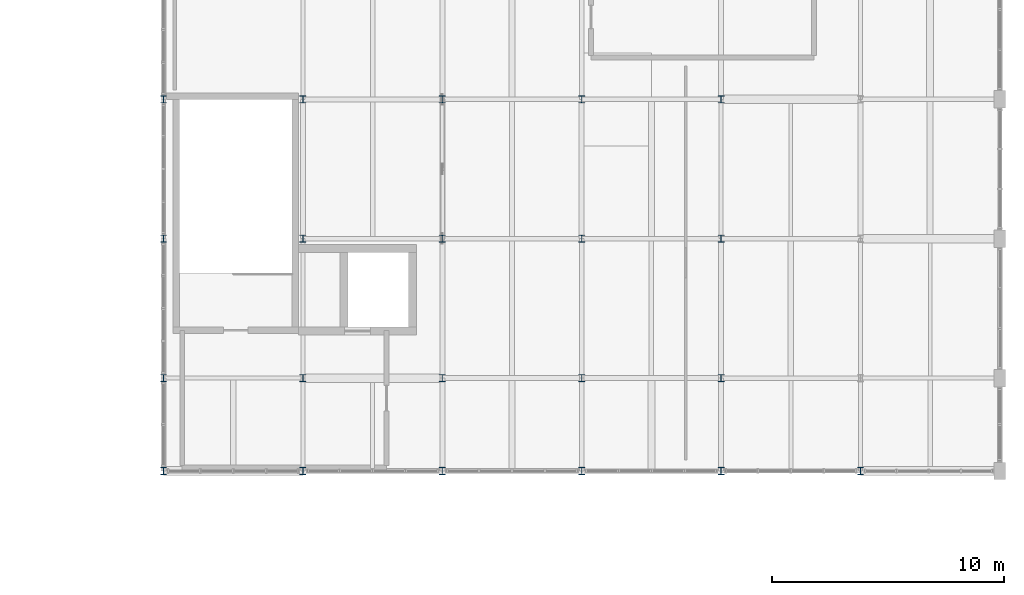
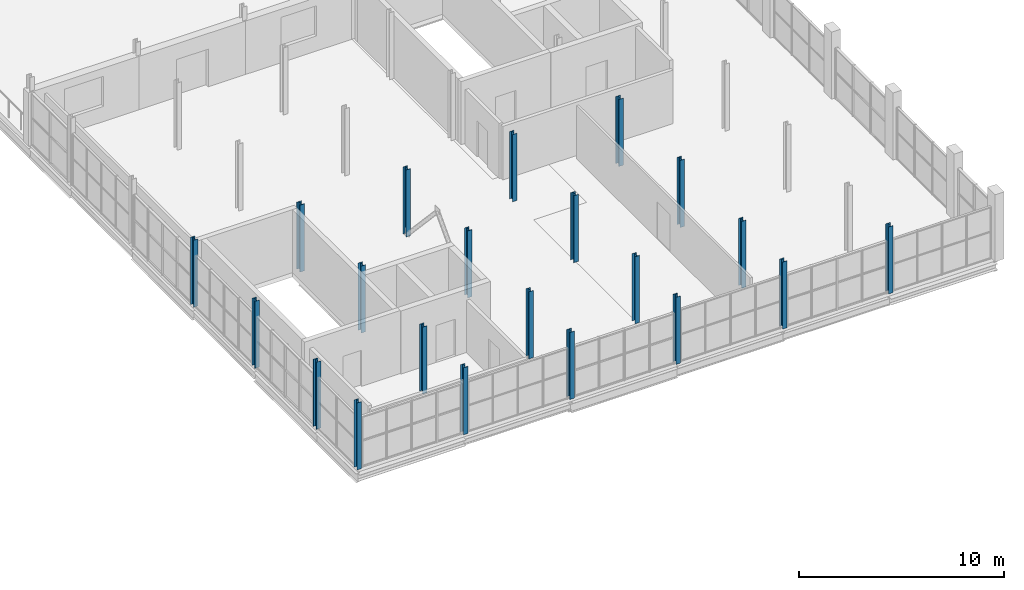
# One storey, part 13 of 96: 21 columns.
"""IFC4 building model written with IfcOpenShell, lengths in metres."""

from ifc_helpers import new_model, si_unit, direction, frame, origin, origin_2d, place, context, subcontext, project, spatial, i_section, extrude, material, material_profile, profile_set, type_object, element, save


model = new_model("IFC4")

# Units and contexts
model_context = context("Model", 3, precision=1e-05, world=origin(), true_north=direction((0.0, 1.0)))
body_context = subcontext(model_context, "Body", "Model", "MODEL_VIEW")
ifc_project = project(units=[si_unit("LENGTHUNIT", "METRE"), si_unit("AREAUNIT", "SQUARE_METRE"), si_unit("VOLUMEUNIT", "CUBIC_METRE"), si_unit("PLANEANGLEUNIT", "RADIAN"), si_unit("MASSUNIT", "GRAM", prefix="KILO")], contexts=[model_context])

# Site, building, storey
site_placement = place(None, origin())
site = spatial("IfcSite", under=ifc_project, at=site_placement, CompositionType="ELEMENT")
building_placement = place(site_placement, origin())
building = spatial("IfcBuilding", under=site, at=building_placement, Name="Verrall Gate Interchange", CompositionType="ELEMENT")
storey_placement = place(building_placement, frame((0.0, 0.0, 11.39990234375)))
storey = spatial("IfcBuildingStorey", under=building, at=storey_placement, Name="L03", CompositionType="ELEMENT", Elevation=11.39990234375)

# Columns
ifc_material = material(Name="Structural Steel CSA G40.21 350W", Category="steel")
ifc_material_profile = material_profile(ifc_material, i_section(OverallWidth=0.25390625, OverallDepth=0.305908203125, WebThickness=0.0087890625, FlangeThickness=0.0146484375, FilletRadius=0.012939453125, at=origin_2d()), Name="W310x79")
ifc_profile_set = profile_set([ifc_material_profile], Name="Structural Steel CSA G40.21 350W")
column_type = type_object("IfcColumnType", Name="C-10 Column W310x79", PredefinedType="COLUMN", material=ifc_profile_set)
for number, where, z_axis, x_axis, name in (
    (1, (132.0, 12.0, 0.0), (0.0, 0.0, 1.0), (1.0, 0.0, 0.0), "L03 Column COL-L03-1214 (C-10)"),
    (2, (132.0, 16.0, 0.0), (0.0, 0.0, 1.0), (1.0, 0.0, 0.0), "L03 Column COL-L03-1219 (C-10)"),
    (3, (132.0, 22.0, 0.0), (0.0, 0.0, 1.0), (1.0, 0.0, 0.0), "L03 Column COL-L03-1224 (C-10)"),
    (4, (132.0, 28.0, 0.0), (0.0, 0.0, 1.0), (1.0, 0.0, 0.0), "L03 Column COL-L03-1229 (C-10)"),
    (5, (138.0, 12.0, 0.0), (0.0, 0.0, 1.0), (1.0, 0.0, 0.0), "L03 Column COL-L03-1257 (C-10)"),
    (6, (138.0, 16.0, 0.0), (0.0, 0.0, 1.0), (1.0, 0.0, 0.0), "L03 Column COL-L03-1262 (C-10)"),
    (7, (138.0, 22.0, 0.0), (0.0, 0.0, 1.0), (1.0, 0.0, 0.0), "L03 Column COL-L03-1267 (C-10)"),
    (8, (138.0, 28.0, 0.0), (0.0, 0.0, 1.0), (1.0, 0.0, 0.0), "L03 Column COL-L03-1272 (C-10)"),
    (9, (144.0, 12.0, 0.0), (0.0, 0.0, 1.0), (1.0, 0.0, 0.0), "L03 Column COL-L03-1300 (C-10)"),
    (10, (144.0, 16.0, 0.0), (0.0, 0.0, 1.0), (1.0, 0.0, 0.0), "L03 Column COL-L03-1305 (C-10)"),
    (11, (144.0, 22.0, 0.0), (0.0, 0.0, 1.0), (1.0, 0.0, 0.0), "L03 Column COL-L03-1310 (C-10)"),
    (12, (144.0, 28.0, 0.0), (0.0, 0.0, 1.0), (1.0, 0.0, 0.0), "L03 Column COL-L03-1315 (C-10)"),
    (13, (150.0, 12.0, 0.0), (0.0, 0.0, 1.0), (1.0, 0.0, 0.0), "L03 Column COL-L03-1343 (C-10)"),
    (14, (150.0, 16.0, 0.0), (0.0, 0.0, 1.0), (1.0, 0.0, 0.0), "L03 Column COL-L03-1348 (C-10)"),
    (15, (150.0, 22.0, 0.0), (0.0, 0.0, 1.0), (1.0, 0.0, 0.0), "L03 Column COL-L03-1353 (C-10)"),
    (16, (150.0, 28.0, 0.0), (0.0, 0.0, 1.0), (1.0, 0.0, 0.0), "L03 Column COL-L03-1358 (C-10)"),
    (17, (156.0, 12.0, 0.0), (0.0, 0.0, 1.0), (1.0, 0.0, 0.0), "L03 Column COL-L03-1386 (C-10)"),
    (18, (156.0, 16.0, 0.0), (0.0, 0.0, 1.0), (1.0, 0.0, 0.0), "L03 Column COL-L03-1391 (C-10)"),
    (19, (156.0, 22.0, 0.0), (0.0, 0.0, 1.0), (1.0, 0.0, 0.0), "L03 Column COL-L03-1396 (C-10)"),
    (20, (156.0, 28.0, 0.0), (0.0, 0.0, 1.0), (1.0, 0.0, 0.0), "L03 Column COL-L03-1401 (C-10)"),
    (21, (162.0, 12.0, 0.0), (0.0, 0.0, 1.0), (1.0, 0.0, 0.0), "L03 Column COL-L03-1429 (C-10)"),
):
    element("IfcColumn", number, at=place(storey_placement, frame(where, z_axis=z_axis, x_axis=x_axis)), inside=storey, type_object=column_type, Name=name, PredefinedType="COLUMN", context=body_context, shape_type="SweptSolid", body=[
        extrude(i_section(OverallWidth=0.25390625, OverallDepth=0.305908203125, WebThickness=0.0087890625, FlangeThickness=0.0146484375, FilletRadius=0.012939453125, at=origin_2d()), origin(), (0.0, 0.0, 1.0), 4.0),
    ])

save(model, "model.ifc")
